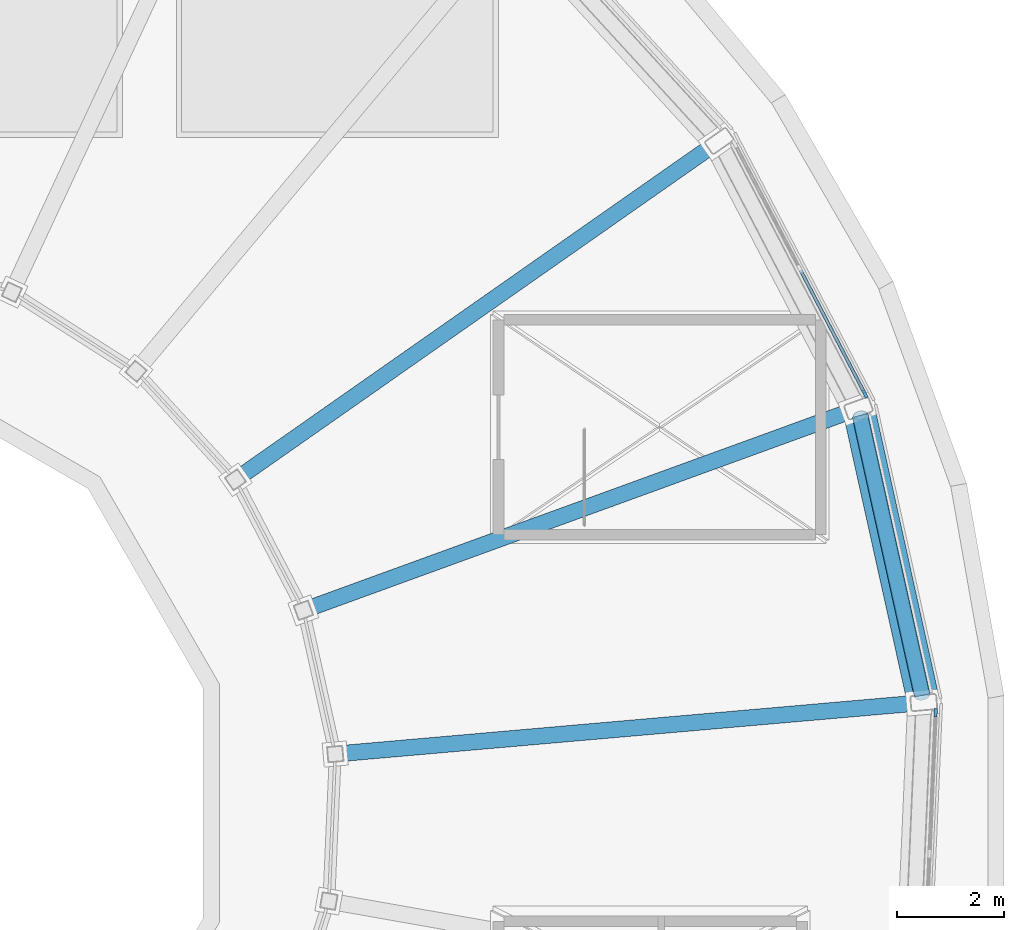
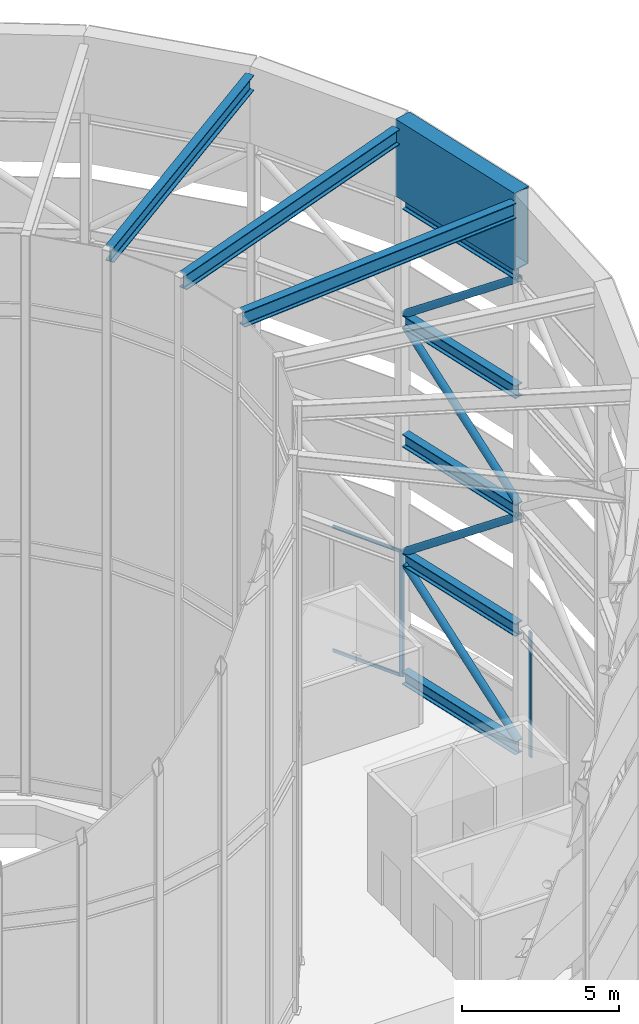
# One storey, part 9 of 20: 9 beams, 8 members, 2 elements without a shape of their own.
"""IFC4 building model written with IfcOpenShell, lengths in metres."""

from ifc_helpers import new_model, si_unit, direction, frame, origin, origin_2d, place, context, subcontext, project, spatial, rectangle, hollow_rectangle, hollow_circle, i_section, extrude, material, layer, layer_set, material_profile, profile_set, type_object, element, aggregate, save


model = new_model("IFC4")

# Units and contexts
model_context = context("Model", 3, precision=1e-05, world=origin(), true_north=direction((0.0, 1.0)))
body_context = subcontext(model_context, "Body", "Model", "MODEL_VIEW")
ifc_project = project(units=[si_unit("LENGTHUNIT", "METRE"), si_unit("AREAUNIT", "SQUARE_METRE"), si_unit("VOLUMEUNIT", "CUBIC_METRE"), si_unit("PLANEANGLEUNIT", "RADIAN"), si_unit("MASSUNIT", "GRAM", prefix="KILO")], contexts=[model_context])

# Site, building, storey
site_placement = place(None, origin())
site = spatial("IfcSite", under=ifc_project, at=site_placement, CompositionType="ELEMENT")
building_placement = place(site_placement, origin())
building = spatial("IfcBuilding", under=site, at=building_placement, Name="Saqina Gate Tower", CompositionType="ELEMENT")
storey_placement = place(building_placement, frame((0.0, 0.0, 284.199951171875)))
storey = spatial("IfcBuildingStorey", under=building, at=storey_placement, Name="RF", CompositionType="ELEMENT", Elevation=284.199951171875)

# Curtain wall, member
ifc_material_1 = material(Name="Aluminium glazing", Category="aluminium")
ifc_layer = layer(ifc_material_1, 0.159912109375)
ifc_layer_set = layer_set([ifc_layer], Name="CWT-5")
curtain_wall_type = type_object("IfcCurtainWallType", Name="CWT-5", PredefinedType="NOTDEFINED", material=ifc_layer_set)
curtain_wall_1_placement = place(storey_placement, origin())
curtain_wall_1 = element("IfcCurtainWall", 1, at=curtain_wall_1_placement, inside=storey, type_object=curtain_wall_type, Name="Crown glazing bay 2", PredefinedType="NOTDEFINED")
ifc_material_2 = material(Name="Aluminium", Category="aluminium")
ifc_material_profile_1 = material_profile(ifc_material_2, rectangle(XDim=0.06005859375, YDim=0.159912109375, at=origin_2d()), Name="Aluminium 60x160")
ifc_profile_set_1 = profile_set([ifc_material_profile_1], Name="Aluminium")
member_type_1 = type_object("IfcMemberType", Name="CWT-5M", PredefinedType="MULLION", material=ifc_profile_set_1)
member_1_placement = place(storey_placement, frame((20.32373046875, 7.6201171875, 0.0), z_axis=(0.0, 0.0, 1.0), x_axis=(-0.887009533519, -0.461751109849, 0.0)))
member_1 = element("IfcMember", 2, at=member_1_placement, type_object=member_type_1, Name="CW5-02 mullion 1", PredefinedType="MULLION", context=body_context, shape_type="SweptSolid", body=[
    extrude(rectangle(XDim=0.06005859375, YDim=0.159912109375, at=origin_2d()), origin(), (0.0, 0.0, 1.0), 4.875),
])

curtain_wall_2_placement = place(storey_placement, origin())
curtain_wall_2 = element("IfcCurtainWall", 3, at=curtain_wall_2_placement, inside=storey, type_object=curtain_wall_type, Name="Crown glazing bay 24", PredefinedType="NOTDEFINED")
member_2_placement = place(storey_placement, frame((21.64013671875, 1.68310546875, 0.0), z_axis=(0.0, 0.0, 1.0), x_axis=(-0.999047790721, 0.043629254589, 0.0)))
member_2 = element("IfcMember", 4, at=member_2_placement, type_object=member_type_1, Name="CW5-24 mullion 3", PredefinedType="MULLION", context=body_context, shape_type="SweptSolid", body=[
    extrude(rectangle(XDim=0.06005859375, YDim=0.159912109375, at=origin_2d()), origin(), (0.0, 0.0, 1.0), 4.875),
])
aggregate(curtain_wall_2, [member_2])

# Member
ifc_material_3 = material(Name="Aluminium", Category="aluminium")
ifc_material_profile_2 = material_profile(ifc_material_3, rectangle(XDim=0.06005859375, YDim=0.1201171875, at=origin_2d()), Name="Aluminium 60x120")
ifc_profile_set_2 = profile_set([ifc_material_profile_2], Name="Aluminium")
member_type_2 = type_object("IfcMemberType", Name="CWT-5T", PredefinedType="USERDEFINED", material=ifc_profile_set_2)
member_3_placement = place(storey_placement, frame((20.31005859375, 7.646728515625, 0.030029296875), z_axis=(-0.461733228292, 0.887018841903, 0.0), x_axis=(-0.887018841903, -0.461733228292, 0.0)))
member_3 = element("IfcMember", 5, at=member_3_placement, type_object=member_type_2, Name="CW5-02 transom 1.1", ObjectType="TRANSOM", PredefinedType="USERDEFINED", context=body_context, shape_type="SweptSolid", body=[
    extrude(rectangle(XDim=0.06005859375, YDim=0.1201171875, at=origin_2d()), origin(), (0.0, 0.0, 1.0), 2.5654296875),
])

member_4_placement = place(storey_placement, frame((20.31005859375, 7.646728515625, 4.844970703125), z_axis=(-0.461733228292, 0.887018841903, 0.0), x_axis=(-0.887018841903, -0.461733228292, 0.0)))
member_4 = element("IfcMember", 6, at=member_4_placement, type_object=member_type_2, Name="CW5-02 transom 1.2", ObjectType="TRANSOM", PredefinedType="USERDEFINED", context=body_context, shape_type="SweptSolid", body=[
    extrude(rectangle(XDim=0.06005859375, YDim=0.1201171875, at=origin_2d()), origin(), (0.0, 0.0, 1.0), 2.5654296875),
])

aggregate(curtain_wall_1, [member_1, member_3, member_4])

# Beams
ifc_material_4 = material(Name="Steel S460", Category="steel")
ifc_material_profile_3 = material_profile(ifc_material_4, hollow_rectangle(XDim=0.60009765625, YDim=3.0, WallThickness=0.0400390625, at=origin_2d()), Name="BOX 600x3000x40")
ifc_profile_set_3 = profile_set([ifc_material_profile_3], Name="Steel S460")
beam_type_1 = type_object("IfcBeamType", Name="STR-CROWN CAP GIRDER-BOX 600x3000x40", PredefinedType="BEAM", material=ifc_profile_set_3)
beam_1_placement = place(storey_placement, frame((21.418212890625, 1.873779296875, 20.5), z_axis=(-0.216442238202, 0.976295425331, 0.0), x_axis=(-0.976295425331, -0.216442238202, 0.0)))
element("IfcBeam", 7, at=beam_1_placement, inside=storey, type_object=beam_type_1, Name="CROWN CAP GIRDER 01", PredefinedType="BEAM", context=body_context, shape_type="SweptSolid", body=[
    extrude(hollow_rectangle(XDim=0.60009765625, YDim=3.0, WallThickness=0.0400390625, at=origin_2d()), origin(), (0.0, 0.0, 1.0), 5.61279296875),
])
ifc_material_5 = material(Name="Steel S460", Category="steel")
ifc_material_profile_4 = material_profile(ifc_material_5, i_section(OverallWidth=0.300048828125, OverallDepth=0.60009765625, WebThickness=0.015380859375, FlangeThickness=0.030029296875, FilletRadius=0.027099609375, at=origin_2d()), Name="HE 600 B")
ifc_profile_set_4 = profile_set([ifc_material_profile_4], Name="Steel S460")
beam_type_2 = type_object("IfcBeamType", Name="STR-CROWN DECK BEAM-HE 600 B", PredefinedType="BEAM", material=ifc_profile_set_4)
beam_2_placement = place(storey_placement, frame((10.591552734375, 0.9267578125, 21.400146484375), z_axis=(0.99619607424, 0.087140011874, 0.0), x_axis=(-0.087140011874, 0.99619607424, 0.0)))
element("IfcBeam", 8, at=beam_2_placement, inside=storey, type_object=beam_type_2, Name="CROWN DECK BEAM 01", PredefinedType="BEAM", context=body_context, shape_type="SweptSolid", body=[
    extrude(i_section(OverallWidth=0.300048828125, OverallDepth=0.60009765625, WebThickness=0.015380859375, FlangeThickness=0.030029296875, FilletRadius=0.027099609375, at=origin_2d()), origin(), (0.0, 0.0, 1.0), 10.568115234375),
])
beam_3_placement = place(storey_placement, frame((9.99072265625, 3.636474609375, 21.400146484375), z_axis=(0.939698955875, 0.342002737309, 0.0), x_axis=(-0.342002737309, 0.939698955875, 0.0)))
element("IfcBeam", 9, at=beam_3_placement, inside=storey, type_object=beam_type_2, Name="CROWN DECK BEAM 02", PredefinedType="BEAM", context=body_context, shape_type="SweptSolid", body=[
    extrude(i_section(OverallWidth=0.300048828125, OverallDepth=0.60009765625, WebThickness=0.015380859375, FlangeThickness=0.030029296875, FilletRadius=0.027099609375, at=origin_2d()), origin(), (0.0, 0.0, 1.0), 10.56787109375),
])
beam_4_placement = place(storey_placement, frame((8.709228515625, 6.09814453125, 21.400146484375), z_axis=(0.819140743652, 0.573592574994, 0.0), x_axis=(-0.573592574994, 0.819140743652, 0.0)))
element("IfcBeam", 10, at=beam_4_placement, inside=storey, type_object=beam_type_2, Name="CROWN DECK BEAM 03", PredefinedType="BEAM", context=body_context, shape_type="SweptSolid", body=[
    extrude(i_section(OverallWidth=0.300048828125, OverallDepth=0.60009765625, WebThickness=0.015380859375, FlangeThickness=0.030029296875, FilletRadius=0.027099609375, at=origin_2d()), origin(), (0.0, 0.0, 1.0), 10.568115234375),
])

# Members
ifc_material_6 = material(Name="Steel S460", Category="steel")
ifc_material_profile_5 = material_profile(ifc_material_6, hollow_circle(Radius=0.136474609375, WallThickness=0.012451171875, at=origin_2d()), Name="CHS 273x12.5")
ifc_profile_set_5 = profile_set([ifc_material_profile_5], Name="Steel S460")
member_type_3 = type_object("IfcMemberType", Name="STR-CROWN FRAME BRACE-CHS 273x12.5", PredefinedType="BRACE", material=ifc_profile_set_5)
for number, where, z_axis, x_axis, name in (
    (11, (20.231689453125, 7.225341796875, 5.113037109375), (0.171032716507, -0.771504315764, 0.6128041291), (0.976297523926, 0.216432771955, 0.0), "CROWN FRAME BRACE 2-01"),
    (12, (21.3896484375, 2.001953125, 9.738037109375), (-0.171032716507, 0.771504315764, 0.6128041291), (-0.976297523926, -0.216432771955, 0.0), "CROWN FRAME BRACE 3-01"),
    (13, (20.231689453125, 7.225341796875, 14.363037109375), (0.171032716507, -0.771504315764, 0.6128041291), (0.976297523926, 0.216432771955, 0.0), "CROWN FRAME BRACE 4-01"),
):
    element("IfcMember", number, at=place(storey_placement, frame(where, z_axis=z_axis, x_axis=x_axis)), inside=storey, type_object=member_type_3, Name=name, PredefinedType="BRACE", context=body_context, shape_type="SweptSolid", body=[
        extrude(hollow_circle(Radius=0.136474609375, WallThickness=0.012451171875, at=origin_2d()), origin(), (0.0, 0.0, 1.0), 6.7705078125),
    ])
ifc_material_7 = material(Name="Steel S460", Category="steel")
ifc_material_profile_6 = material_profile(ifc_material_7, hollow_circle(Radius=0.136474609375, WallThickness=0.02490234375, at=origin_2d()), Name="CHS 273x25")
ifc_profile_set_6 = profile_set([ifc_material_profile_6], Name="Steel S460")
member_type_4 = type_object("IfcMemberType", Name="STR-CROWN FRAME BRACE-CHS 273x25", PredefinedType="BRACE", material=ifc_profile_set_6)
member_5_placement = place(storey_placement, frame((21.3896484375, 2.001953125, 0.512939453125), z_axis=(-0.171418362445, 0.77324390987, 0.610499468358), x_axis=(-0.976297523926, -0.216432771955, 0.0)))
element("IfcMember", 14, at=member_5_placement, inside=storey, type_object=member_type_4, Name="CROWN FRAME BRACE 1-01", PredefinedType="BRACE", context=body_context, shape_type="SweptSolid", body=[
    extrude(hollow_circle(Radius=0.136474609375, WallThickness=0.02490234375, at=origin_2d()), origin(), (0.0, 0.0, 1.0), 6.755126953125),
])

# Beams
ifc_material_8 = material(Name="Steel S460", Category="steel")
ifc_material_profile_7 = material_profile(ifc_material_8, i_section(OverallWidth=0.300048828125, OverallDepth=0.5, WebThickness=0.014404296875, FlangeThickness=0.028076171875, FilletRadius=0.027099609375, at=origin_2d()), Name="HE 500 B")
ifc_profile_set_7 = profile_set([ifc_material_profile_7], Name="Steel S460")
beam_type_3 = type_object("IfcBeamType", Name="STR-CROWN RING BEAM-HE 500 B", PredefinedType="BEAM", material=ifc_profile_set_7)
for number, where, z_axis, x_axis, name in (
    (15, (21.3896484375, 2.001953125, 0.275146484375), (-0.216432771955, 0.976297523926, 0.0), (-0.976297523926, -0.216432771955, 0.0), "CROWN RING BEAM 1-01"),
    (16, (21.3896484375, 2.001953125, 4.875), (-0.216432771955, 0.976297523926, 0.0), (-0.976297523926, -0.216432771955, 0.0), "CROWN RING BEAM 2-01"),
    (17, (21.3896484375, 2.001953125, 9.5), (-0.216432771955, 0.976297523926, 0.0), (-0.976297523926, -0.216432771955, 0.0), "CROWN RING BEAM 3-01"),
    (18, (21.3896484375, 2.001953125, 14.125), (-0.216432771955, 0.976297523926, 0.0), (-0.976297523926, -0.216432771955, 0.0), "CROWN RING BEAM 4-01"),
    (19, (21.3896484375, 2.001953125, 18.75), (-0.216432771955, 0.976297523926, 0.0), (-0.976297523926, -0.216432771955, 0.0), "CROWN RING BEAM 5-01"),
):
    element("IfcBeam", number, at=place(storey_placement, frame(where, z_axis=z_axis, x_axis=x_axis)), inside=storey, type_object=beam_type_3, Name=name, PredefinedType="BEAM", context=body_context, shape_type="SweptSolid", body=[
        extrude(i_section(OverallWidth=0.300048828125, OverallDepth=0.5, WebThickness=0.014404296875, FlangeThickness=0.028076171875, FilletRadius=0.027099609375, at=origin_2d()), origin(), (0.0, 0.0, 1.0), 5.35009765625),
    ])

save(model, "model.ifc")
